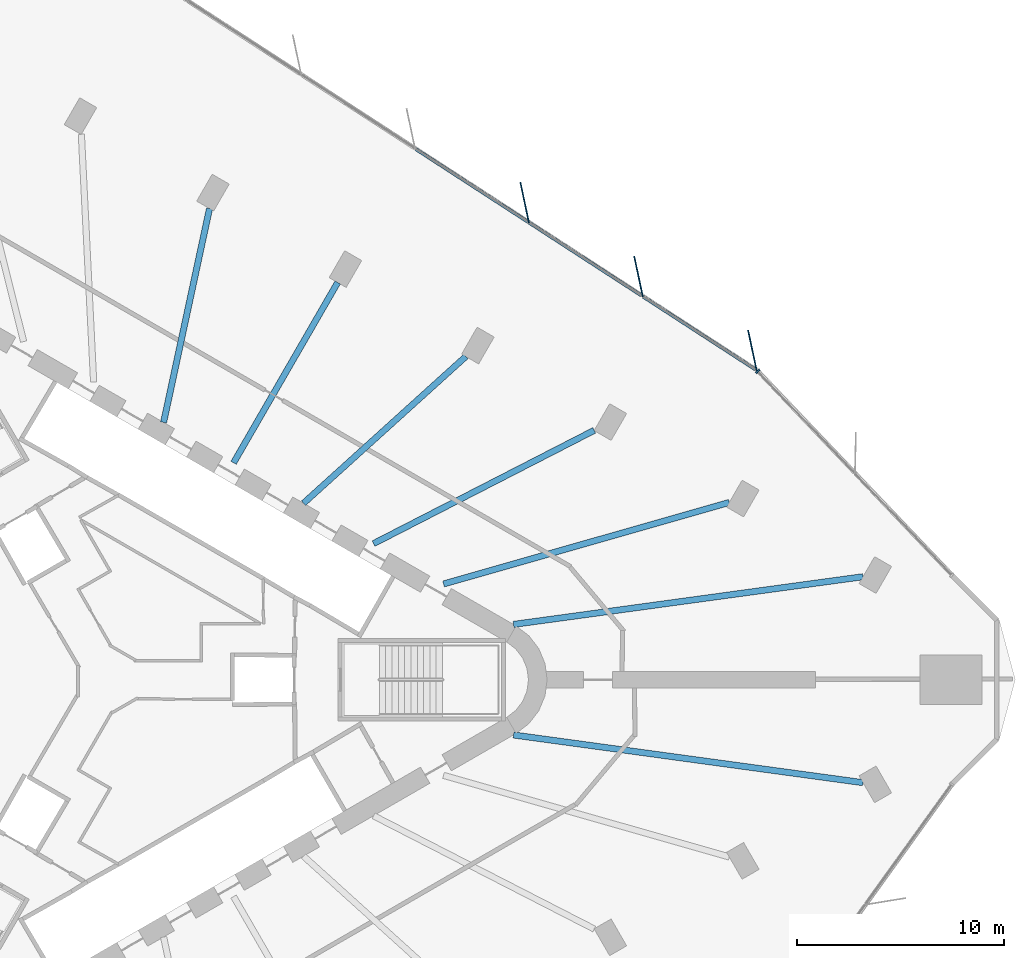
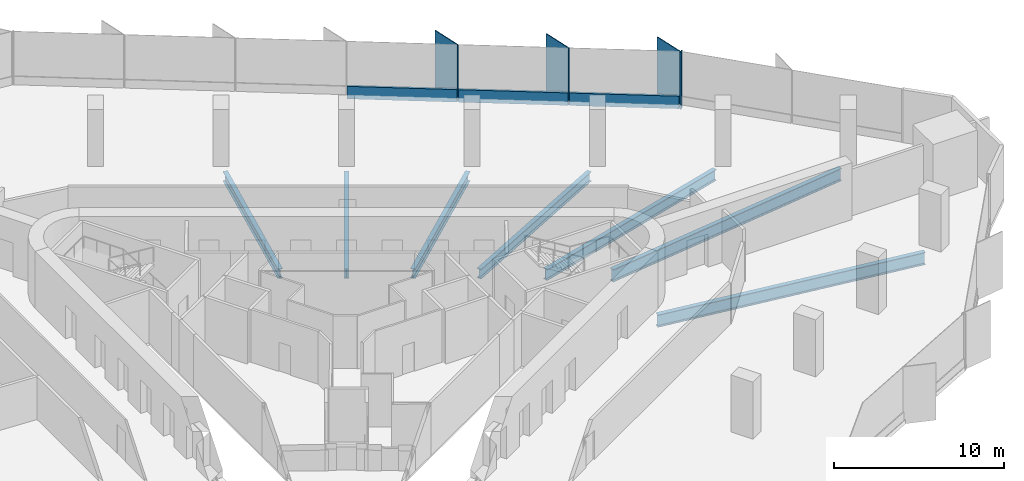
# One storey, part 5 of 14: 7 beams, 7 members, 2 elements without a shape of their own.
"""IFC4 building model written with IfcOpenShell, lengths in metres."""

from ifc_helpers import new_model, si_unit, direction, frame, origin, origin_2d, place, context, subcontext, project, spatial, rectangle, i_section, extrude, material, material_profile, profile_set, type_object, element, aggregate, save


model = new_model("IFC4")

# Units and contexts
model_context = context("Model", 3, precision=1e-05, world=origin(), true_north=direction((0.0, 1.0)))
body_context = subcontext(model_context, "Body", "Model", "MODEL_VIEW")
ifc_project = project(units=[si_unit("LENGTHUNIT", "METRE"), si_unit("AREAUNIT", "SQUARE_METRE"), si_unit("VOLUMEUNIT", "CUBIC_METRE"), si_unit("PLANEANGLEUNIT", "RADIAN"), si_unit("MASSUNIT", "GRAM", prefix="KILO")], contexts=[model_context])

# Site, building, storey
site_placement = place(None, origin())
site = spatial("IfcSite", under=ifc_project, at=site_placement, CompositionType="ELEMENT")
building_placement = place(site_placement, origin())
building = spatial("IfcBuilding", under=site, at=building_placement, Name="Tanit Gate Tower", CompositionType="ELEMENT")
storey_placement = place(building_placement, frame((0.0, 0.0, 115.199951171875)))
storey = spatial("IfcBuildingStorey", under=building, at=storey_placement, Name="L24", CompositionType="ELEMENT", Elevation=115.199951171875)

# Curtain wall, members
ifc_material_1 = material(Name="Aluminium bronze anodised and glass", Category="aluminium")
curtain_wall_type = type_object("IfcCurtainWallType", Name="Curtain wall typical low", PredefinedType="NOTDEFINED", material=ifc_material_1)
curtain_wall_1_placement = place(storey_placement, origin())
curtain_wall_1 = element("IfcCurtainWall", 1, at=curtain_wall_1_placement, inside=storey, type_object=curtain_wall_type, Name="Curtain wall L24 NE2", PredefinedType="NOTDEFINED")
ifc_material_2 = material(Name="Aluminium bronze anodised", Category="aluminium")
ifc_material_profile_1 = material_profile(ifc_material_2, rectangle(XDim=2.0, YDim=0.055908203125, at=origin_2d()), Name="56x2000 bronze fin mullion")
ifc_profile_set_1 = profile_set([ifc_material_profile_1], Name="Aluminium bronze anodised")
member_type_1 = type_object("IfcMemberType", Name="FIN MULLION 56x2000 bronze", PredefinedType="MULLION", material=ifc_profile_set_1)
member_1_placement = place(storey_placement, frame((31.11767578125, 15.91064453125, -0.300048828125), z_axis=(0.0, 0.0, 1.0), x_axis=(0.208237849046, -0.978078216824, 0.0)))
member_1 = element("IfcMember", 2, at=member_1_placement, type_object=member_type_1, Name="Fin mullion L24 NE2.1", PredefinedType="MULLION", context=body_context, shape_type="SweptSolid", body=[
    extrude(rectangle(XDim=2.0, YDim=0.055908203125, at=origin_2d()), origin(), (0.0, 0.0, 1.0), 4.10009765625),
])
member_2_placement = place(storey_placement, frame((25.61669921875, 19.480224609375, -0.300048828125), z_axis=(0.0, 0.0, 1.0), x_axis=(0.208237849046, -0.978078216824, 0.0)))
member_2 = element("IfcMember", 3, at=member_2_placement, type_object=member_type_1, Name="Fin mullion L24 NE2.2", PredefinedType="MULLION", context=body_context, shape_type="SweptSolid", body=[
    extrude(rectangle(XDim=2.0, YDim=0.055908203125, at=origin_2d()), origin(), (0.0, 0.0, 1.0), 4.10009765625),
])
member_3_placement = place(storey_placement, frame((20.11572265625, 23.050048828125, -0.300048828125), z_axis=(0.0, 0.0, 1.0), x_axis=(0.208237849046, -0.978078216824, 0.0)))
member_3 = element("IfcMember", 4, at=member_3_placement, type_object=member_type_1, Name="Fin mullion L24 NE2.3", PredefinedType="MULLION", context=body_context, shape_type="SweptSolid", body=[
    extrude(rectangle(XDim=2.0, YDim=0.055908203125, at=origin_2d()), origin(), (0.0, 0.0, 1.0), 4.10009765625),
])

# Curtain wall, member
curtain_wall_2_placement = place(storey_placement, origin())
curtain_wall_2 = element("IfcCurtainWall", 5, at=curtain_wall_2_placement, inside=storey, type_object=curtain_wall_type, Name="Curtain wall L24 NE1", PredefinedType="NOTDEFINED")
ifc_material_3 = material(Name="Aluminium bronze anodised", Category="aluminium")
ifc_material_profile_2 = material_profile(ifc_material_3, rectangle(XDim=0.239990234375, YDim=0.080078125, at=origin_2d()), Name="80x240 bronze mullion")
ifc_profile_set_2 = profile_set([ifc_material_profile_2], Name="Aluminium bronze anodised")
member_type_2 = type_object("IfcMemberType", Name="Mullion 80x240 typical low", PredefinedType="MULLION", material=ifc_profile_set_2)
member_4_placement = place(storey_placement, frame((31.38232421875, 14.90380859375, -0.300048828125), z_axis=(0.0, 0.0, 1.0), x_axis=(-0.724303531374, -0.689481250245, 0.0)))
member_4 = element("IfcMember", 6, at=member_4_placement, type_object=member_type_2, Name="Mullion L24 NE1.3", PredefinedType="MULLION", context=body_context, shape_type="SweptSolid", body=[
    extrude(rectangle(XDim=0.239990234375, YDim=0.080078125, at=origin_2d()), origin(), (0.0, 0.0, 1.0), 4.10009765625),
])
aggregate(curtain_wall_2, [member_4])

# Beams
ifc_material_4 = material(Name="Steel S355", Category="steel")
ifc_material_profile_3 = material_profile(ifc_material_4, i_section(OverallWidth=0.300048828125, OverallDepth=0.68994140625, WebThickness=0.014404296875, FlangeThickness=0.027099609375, FilletRadius=0.027099609375, at=origin_2d()), Name="HEA 700")
ifc_profile_set_3 = profile_set([ifc_material_profile_3], Name="Steel S355")
beam_type_1 = type_object("IfcBeamType", Name="RADIAL GIRDER HEA 700 S355", PredefinedType="BEAM", material=ifc_profile_set_3)
beam_1_placement = place(storey_placement, frame((23.4775390625, 12.04833984375, -0.64501953125), z_axis=(-0.889684882484, -0.456575086792, 0.0), x_axis=(0.456575086792, -0.889684882484, 0.0)))
element("IfcBeam", 7, at=beam_1_placement, inside=storey, type_object=beam_type_1, Name="RADIAL GIRDER", PredefinedType="BEAM", context=body_context, shape_type="SweptSolid", body=[
    extrude(i_section(OverallWidth=0.300048828125, OverallDepth=0.68994140625, WebThickness=0.014404296875, FlangeThickness=0.027099609375, FilletRadius=0.027099609375, at=origin_2d()), origin(), (0.0, 0.0, 1.0), 11.98583984375),
])
beam_2_placement = place(storey_placement, frame((17.27099609375, 15.615478515625, -0.64501953125), z_axis=(-0.741757410194, -0.670668281957, 0.0), x_axis=(0.670668281957, -0.741757410194, 0.0)))
element("IfcBeam", 8, at=beam_2_placement, inside=storey, type_object=beam_type_1, Name="RADIAL GIRDER", PredefinedType="BEAM", context=body_context, shape_type="SweptSolid", body=[
    extrude(i_section(OverallWidth=0.300048828125, OverallDepth=0.68994140625, WebThickness=0.014404296875, FlangeThickness=0.027099609375, FilletRadius=0.027099609375, at=origin_2d()), origin(), (0.0, 0.0, 1.0), 10.5673828125),
])
beam_3_placement = place(storey_placement, frame((11.07958984375, 19.190185546875, -0.64501953125), z_axis=(-0.500011042411, -0.866019028352, 0.0), x_axis=(0.866019028352, -0.500011042411, 0.0)))
element("IfcBeam", 9, at=beam_3_placement, inside=storey, type_object=beam_type_1, Name="RADIAL GIRDER", PredefinedType="BEAM", context=body_context, shape_type="SweptSolid", body=[
    extrude(i_section(OverallWidth=0.300048828125, OverallDepth=0.68994140625, WebThickness=0.014404296875, FlangeThickness=0.027099609375, FilletRadius=0.027099609375, at=origin_2d()), origin(), (0.0, 0.0, 1.0), 10.056884765625),
])
beam_4_placement = place(storey_placement, frame((4.887939453125, 22.764892578125, -0.64501953125), z_axis=(-0.209940874713, -0.977714083526, 0.0), x_axis=(0.977714083526, -0.209940874713, 0.0)))
element("IfcBeam", 10, at=beam_4_placement, inside=storey, type_object=beam_type_1, Name="RADIAL GIRDER", PredefinedType="BEAM", context=body_context, shape_type="SweptSolid", body=[
    extrude(i_section(OverallWidth=0.300048828125, OverallDepth=0.68994140625, WebThickness=0.014404296875, FlangeThickness=0.027099609375, FilletRadius=0.027099609375, at=origin_2d()), origin(), (0.0, 0.0, 1.0), 10.5673828125),
])
ifc_material_5 = material(Name="Steel S355", Category="steel")
ifc_material_profile_4 = material_profile(ifc_material_5, i_section(OverallWidth=0.300048828125, OverallDepth=0.7900390625, WebThickness=0.014892578125, FlangeThickness=0.028076171875, FilletRadius=0.030029296875, at=origin_2d()), Name="HEA 800")
ifc_profile_set_4 = profile_set([ifc_material_profile_4], Name="Steel S355")
beam_type_2 = type_object("IfcBeamType", Name="RADIAL GIRDER HEA 800 S355", PredefinedType="BEAM", material=ifc_profile_set_4)
beam_5_placement = place(storey_placement, frame((30.00146484375, 8.565185546875, -0.695068359375), z_axis=(-0.96158167718, -0.274518994083, 0.0), x_axis=(0.274518994083, -0.96158167718, 0.0)))
element("IfcBeam", 11, at=beam_5_placement, inside=storey, type_object=beam_type_2, Name="RADIAL GIRDER", PredefinedType="BEAM", context=body_context, shape_type="SweptSolid", body=[
    extrude(i_section(OverallWidth=0.300048828125, OverallDepth=0.7900390625, WebThickness=0.014892578125, FlangeThickness=0.028076171875, FilletRadius=0.030029296875, at=origin_2d()), origin(), (0.0, 0.0, 1.0), 14.357421875),
])
ifc_material_6 = material(Name="Steel S355", Category="steel")
ifc_material_profile_5 = material_profile(ifc_material_6, i_section(OverallWidth=0.300048828125, OverallDepth=0.889892578125, WebThickness=0.01611328125, FlangeThickness=0.030029296875, FilletRadius=0.030029296875, at=origin_2d()), Name="HEA 900")
ifc_profile_set_5 = profile_set([ifc_material_profile_5], Name="Steel S355")
beam_type_3 = type_object("IfcBeamType", Name="RADIAL GIRDER HEA 900 S355", PredefinedType="BEAM", material=ifc_profile_set_5)
for number, where, z_axis, x_axis, name in (
    (12, (36.4638671875, -4.9755859375, -0.744873046875), (-0.990818658111, 0.135197584074, 0.0), (-0.135197584074, -0.990818658111, 0.0), "RADIAL GIRDER"),
    (13, (36.4638671875, 4.9755859375, -0.744873046875), (-0.990818658111, -0.135197584074, 0.0), (0.135197584074, -0.990818658111, 0.0), "RADIAL GIRDER"),
):
    element("IfcBeam", number, at=place(storey_placement, frame(where, z_axis=z_axis, x_axis=x_axis)), inside=storey, type_object=beam_type_3, Name=name, PredefinedType="BEAM", context=body_context, shape_type="SweptSolid", body=[
        extrude(i_section(OverallWidth=0.300048828125, OverallDepth=0.889892578125, WebThickness=0.01611328125, FlangeThickness=0.030029296875, FilletRadius=0.030029296875, at=origin_2d()), origin(), (0.0, 0.0, 1.0), 17.043212890625),
    ])

# Member
ifc_material_7 = material(Name="Aluminium bronze anodised", Category="aluminium")
ifc_material_profile_6 = material_profile(ifc_material_7, rectangle(XDim=0.159912109375, YDim=0.89990234375, at=origin_2d()), Name="160x900 bronze transom")
ifc_profile_set_6 = profile_set([ifc_material_profile_6], Name="Aluminium bronze anodised")
member_type_3 = type_object("IfcMemberType", Name="Transom 160x900 typical low", PredefinedType="USERDEFINED", material=ifc_profile_set_6)
member_5_placement = place(storey_placement, frame((31.28759765625, 14.976318359375, 0.150146484375), z_axis=(-0.838857562398, 0.544350980533, 0.0), x_axis=(-0.544350980533, -0.838857562398, 0.0)))
member_5 = element("IfcMember", 14, at=member_5_placement, type_object=member_type_3, Name="Transom L24 NE2.1", ObjectType="TRANSOM", PredefinedType="USERDEFINED", context=body_context, shape_type="SweptSolid", body=[
    extrude(rectangle(XDim=0.159912109375, YDim=0.89990234375, at=origin_2d()), origin(), (0.0, 0.0, 1.0), 6.477783203125),
])

member_6_placement = place(storey_placement, frame((25.786865234375, 18.546142578125, 0.150146484375), z_axis=(-0.838857562398, 0.544350980533, 0.0), x_axis=(-0.544350980533, -0.838857562398, 0.0)))
member_6 = element("IfcMember", 15, at=member_6_placement, type_object=member_type_3, Name="Transom L24 NE2.2", ObjectType="TRANSOM", PredefinedType="USERDEFINED", context=body_context, shape_type="SweptSolid", body=[
    extrude(rectangle(XDim=0.159912109375, YDim=0.89990234375, at=origin_2d()), origin(), (0.0, 0.0, 1.0), 6.477783203125),
])

member_7_placement = place(storey_placement, frame((20.285888671875, 22.115966796875, 0.150146484375), z_axis=(-0.838857562398, 0.544350980533, 0.0), x_axis=(-0.544350980533, -0.838857562398, 0.0)))
member_7 = element("IfcMember", 16, at=member_7_placement, type_object=member_type_3, Name="Transom L24 NE2.3", ObjectType="TRANSOM", PredefinedType="USERDEFINED", context=body_context, shape_type="SweptSolid", body=[
    extrude(rectangle(XDim=0.159912109375, YDim=0.89990234375, at=origin_2d()), origin(), (0.0, 0.0, 1.0), 6.477783203125),
])

aggregate(curtain_wall_1, [member_1, member_2, member_3, member_5, member_6, member_7])

save(model, "model.ifc")
